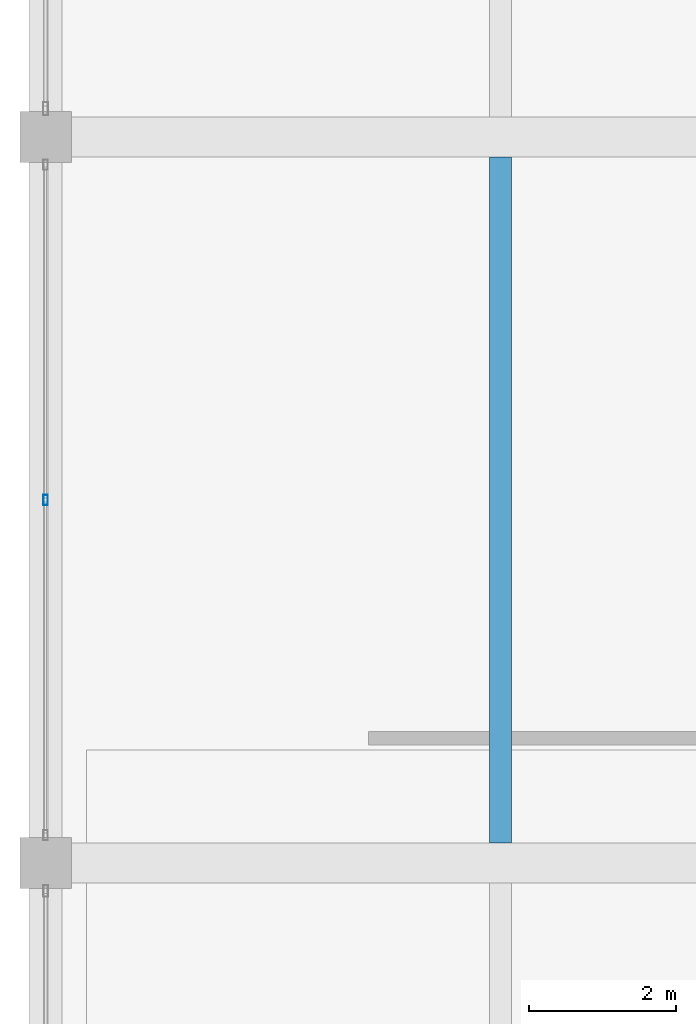
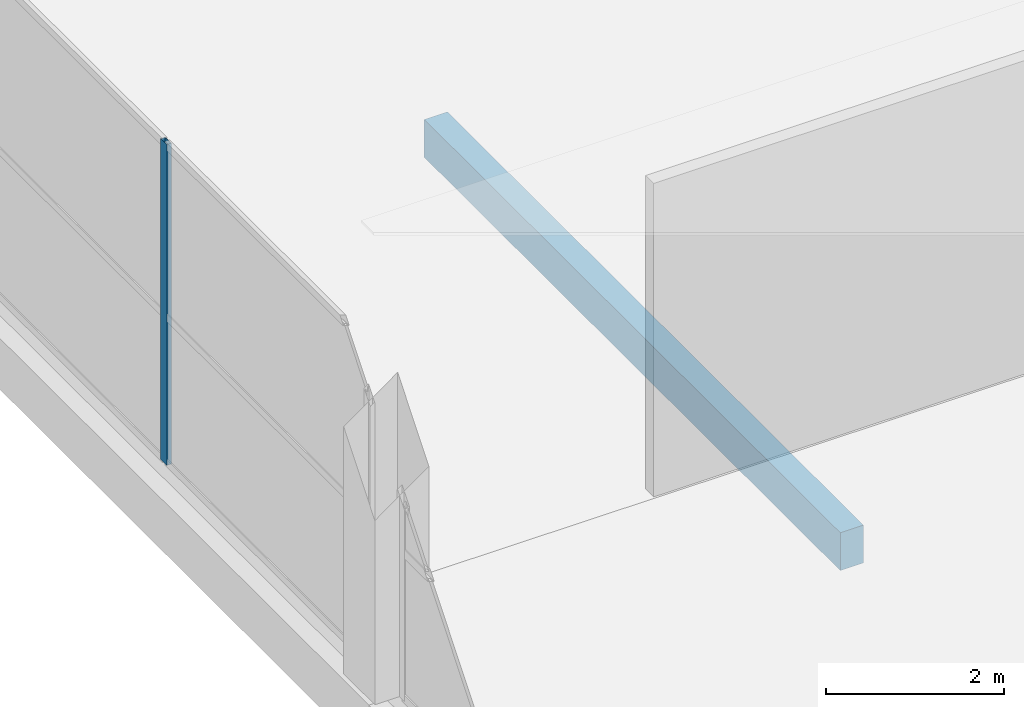
# One storey, part 20 of 74: 1 beam, 1 member, 1 element without a shape of its own.
"""IFC4 building model written with IfcOpenShell, lengths in metres."""

import ifcopenshell
import ifcopenshell.guid

model = None  # the IFC model being written
_history = None  # IfcOwnerHistory: only IFC2X3 demands one
_inside = {}  # id of a spatial element -> (the spatial element, [elements in it])
_under = {}  # id of a project, library or spatial element -> (it, [spatial elements below it])
_declared = {}  # id of a project -> (the project, [libraries it declares])
_typed = {}  # id of a type object -> (the type object, [elements of that type])
_made_of = {}  # id of a material, layer set ... -> (it, [elements and type objects made of it])


def new_model(schema):
    """Start an empty IFC model of exactly this schema.

    Asked for "IFC4X3", IfcOpenShell would pick the latest addendum, in which some entities
    have other attributes; the version numbers below select the first issue.
    IFC2X3 requires an IfcOwnerHistory on every rooted entity: one is made here for all.
    """
    global model, _history
    if schema == "IFC4X3":
        model = ifcopenshell.file(schema_version=(4, 3, 0, 0))
    else:
        model = ifcopenshell.file(schema=schema)
    _inside.clear()
    _under.clear()
    _declared.clear()
    _typed.clear()
    _made_of.clear()
    _history = None
    if model.schema == "IFC2X3":
        org = make("IfcOrganization", Name="unknown")
        user = make(
            "IfcPersonAndOrganization",
            ThePerson=make("IfcPerson", FamilyName="unknown"),
            TheOrganization=org,
        )
        app = make(
            "IfcApplication",
            ApplicationDeveloper=org,
            Version="unknown",
            ApplicationFullName="unknown",
            ApplicationIdentifier="unknown",
        )
        _history = make(
            "IfcOwnerHistory",
            OwningUser=user,
            OwningApplication=app,
            ChangeAction="ADDED",
            CreationDate=0,
        )
    return model


def make(cls, **values):
    """One entity of the class cls with the attributes given. An attribute that is None is left unset."""
    return model.create_entity(
        cls, **{name: value for name, value in values.items() if value is not None}
    )


def rooted(cls, **values):
    """An entity with a GlobalId (a new one), such as an element, a storey or a relation."""
    return make(cls, GlobalId=ifcopenshell.guid.new(), OwnerHistory=_history, **values)


def si_unit(unit_type, name, prefix=None):
    """IfcSIUnit, for example si_unit("LENGTHUNIT", "METRE", prefix="MILLI")."""
    return make("IfcSIUnit", UnitType=unit_type, Prefix=prefix, Name=name)


def assignment(units):
    """IfcUnitAssignment: the units of a project."""
    return None if units is None else make("IfcUnitAssignment", Units=units)


def point(xyz):
    """IfcCartesianPoint."""
    return None if xyz is None else make("IfcCartesianPoint", Coordinates=xyz)


def direction(xyz):
    """IfcDirection."""
    return None if xyz is None else make("IfcDirection", DirectionRatios=xyz)


def frame(location, z_axis=None, x_axis=None):
    """IfcAxis2Placement3D, a coordinate frame: its origin and axes. An axis left out is left unset."""
    return make(
        "IfcAxis2Placement3D",
        Location=point(location),
        Axis=direction(z_axis),
        RefDirection=direction(x_axis),
    )


def frame_2d(location, x_axis=None):
    """IfcAxis2Placement2D, a coordinate frame in the plane: its origin and x axis."""
    return make(
        "IfcAxis2Placement2D", Location=point(location), RefDirection=direction(x_axis)
    )


def origin():
    """The frame at (0, 0, 0) with its axes left unset."""
    return frame((0.0, 0.0, 0.0))


def origin_2d():
    """The frame at (0, 0) in the plane with its x axis left unset."""
    return frame_2d((0.0, 0.0))


def place(relative_to, where):
    """IfcLocalPlacement: puts the frame where relative to a parent placement (None: the world)."""
    return make(
        "IfcLocalPlacement", PlacementRelTo=relative_to, RelativePlacement=where
    )


def context(
    kind, dimensions, precision=None, world=None, true_north=None, identifier=None
):
    """IfcGeometricRepresentationContext, for example the 3D "Model" context."""
    return make(
        "IfcGeometricRepresentationContext",
        ContextIdentifier=identifier,
        ContextType=kind,
        CoordinateSpaceDimension=dimensions,
        Precision=precision,
        WorldCoordinateSystem=world,
        TrueNorth=true_north,
    )


def subcontext(parent, identifier, kind, view, scale=None):
    """IfcGeometricRepresentationSubContext, for example "Body" below "Model"."""
    return make(
        "IfcGeometricRepresentationSubContext",
        ContextIdentifier=identifier,
        ContextType=kind,
        ParentContext=parent,
        TargetScale=scale,
        TargetView=view,
    )


def project(units=None, contexts=None):
    """IfcProject with its units and contexts."""
    return rooted(
        "IfcProject",
        Name="project",
        RepresentationContexts=contexts,
        UnitsInContext=assignment(units),
    )


def spatial(cls, under=None, at=None, **own):
    """A site, building, storey or space (cls), placed at a placement, below another one or the project."""
    s = rooted(cls, ObjectPlacement=at, **own)
    if under is not None:
        _under.setdefault(under.id(), (under, []))[1].append(s)
    return s


def profile(cls, at=None, kind="AREA", **sizes):
    """A parametric profile (cls). Its sizes go by their IFC names, for example OverallWidth=200.0."""
    return make(cls, ProfileType=kind, Position=at, **sizes)


def rectangle(**sizes):
    """IfcRectangleProfileDef."""
    return profile("IfcRectangleProfileDef", **sizes)


def hollow_rectangle(**sizes):
    """IfcRectangleHollowProfileDef."""
    return profile("IfcRectangleHollowProfileDef", **sizes)


def extrude(swept, where, along, depth):
    """IfcExtrudedAreaSolid: the profile swept, set in the frame where, extruded along a direction by depth."""
    return make(
        "IfcExtrudedAreaSolid",
        SweptArea=swept,
        Position=where,
        ExtrudedDirection=direction(along),
        Depth=depth,
    )


def shape(context_of_items, identifier, shape_type, items):
    """IfcShapeRepresentation: the items that make up one representation, for example the "Body"."""
    return make(
        "IfcShapeRepresentation",
        ContextOfItems=context_of_items,
        RepresentationIdentifier=identifier,
        RepresentationType=shape_type,
        Items=items,
    )


def material(Name=None, Category=None):
    """IfcMaterial."""
    return make("IfcMaterial", Name=Name, Category=Category)


def layer(
    of_material, thickness, ventilated=None, Name=None, Category=None, Priority=None
):
    """IfcMaterialLayer: one layer of a wall or slab, of a material (None: an air gap)."""
    return make(
        "IfcMaterialLayer",
        Material=of_material,
        LayerThickness=thickness,
        IsVentilated=ventilated,
        Name=Name,
        Category=Category,
        Priority=Priority,
    )


def layer_set(layers, Name=None):
    """IfcMaterialLayerSet."""
    return make("IfcMaterialLayerSet", MaterialLayers=layers, LayerSetName=Name)


def material_profile(
    of_material, cross_section, Name=None, Category=None, Priority=None
):
    """IfcMaterialProfile: a cross section and its material."""
    return make(
        "IfcMaterialProfile",
        Name=Name,
        Material=of_material,
        Profile=cross_section,
        Priority=Priority,
        Category=Category,
    )


def profile_set(profiles, Name=None, composite=None):
    """IfcMaterialProfileSet."""
    return make(
        "IfcMaterialProfileSet",
        Name=Name,
        MaterialProfiles=profiles,
        CompositeProfile=composite,
    )


def made_of(thing, what):
    """Note that an element or type object is made of a material, layer set ...; save() writes the relation."""
    if what is not None:
        _made_of.setdefault(what.id(), (what, []))[1].append(thing)
    return thing


def type_object(cls, material=None, **own):
    """A type object (cls), such as IfcWallType, which elements share."""
    return made_of(rooted(cls, **own), material)


def element(
    cls,
    number,
    at=None,
    inside=None,
    cuts=None,
    type_object=None,
    material=None,
    context=None,
    identifier="Body",
    shape_type=None,
    held_by="IfcProductDefinitionShape",
    body=None,
    shapes=None,
    **own,
):
    """One element of the class cls, such as IfcWall. Its Tag is "e" and its number.

    at: its placement. inside: the storey or other place that contains it. cuts: it is an
    opening in that element (IfcRelVoidsElement). A single representation is given by context,
    identifier, shape_type and body (its items); several are given by shapes. held_by: the class
    of the entity that holds the representations. save() writes the other relations.
    """
    e = rooted(cls, Tag="e%d" % number, ObjectPlacement=at, **own)
    if body is not None:
        shapes = [shape(context, identifier, shape_type, body)]
    if shapes is not None:
        e.Representation = make(held_by, Representations=shapes)
    if inside is not None:
        _inside.setdefault(inside.id(), (inside, []))[1].append(e)
    if cuts is not None:
        rooted(
            "IfcRelVoidsElement", RelatingBuildingElement=cuts, RelatedOpeningElement=e
        )
    if type_object is not None:
        _typed.setdefault(type_object.id(), (type_object, []))[1].append(e)
    return made_of(e, material)


def aggregate(whole, parts):
    """IfcRelAggregates: a whole, such as a stair, and the parts it consists of."""
    return rooted("IfcRelAggregates", RelatingObject=whole, RelatedObjects=parts)


def save(model, path):
    """Write the relations noted so far, then the file.

    IfcRelAggregates (storeys below a building ...), IfcRelContainedInSpatialStructure (elements
    in a storey), IfcRelDefinesByType, IfcRelAssociatesMaterial and IfcRelDeclares: one each for
    every whole, place, type object, material and project.
    """
    for whole, parts in _under.values():
        aggregate(whole, parts)
    for where, things in _inside.values():
        rooted(
            "IfcRelContainedInSpatialStructure",
            RelatedElements=things,
            RelatingStructure=where,
        )
    for kind, things in _typed.values():
        rooted("IfcRelDefinesByType", RelatedObjects=things, RelatingType=kind)
    for what, things in _made_of.values():
        rooted("IfcRelAssociatesMaterial", RelatedObjects=things, RelatingMaterial=what)
    for by, libraries in _declared.values():
        rooted("IfcRelDeclares", RelatingContext=by, RelatedDefinitions=libraries)
    model.write(path)


model = new_model("IFC4")

# Units and contexts
model_context = context("Model", 3, precision=1e-05, world=origin(), true_north=direction((0.0, 1.0)))
body_context = subcontext(model_context, "Body", "Model", "MODEL_VIEW")
ifc_project = project(units=[si_unit("LENGTHUNIT", "METRE"), si_unit("AREAUNIT", "SQUARE_METRE"), si_unit("VOLUMEUNIT", "CUBIC_METRE"), si_unit("PLANEANGLEUNIT", "RADIAN"), si_unit("MASSUNIT", "GRAM", prefix="KILO")], contexts=[model_context])

# Site, building, storey
site_placement = place(None, origin())
site = spatial("IfcSite", under=ifc_project, at=site_placement, CompositionType="ELEMENT")
building_placement = place(site_placement, origin())
building = spatial("IfcBuilding", under=site, at=building_placement, Name="Sillaruma Civic Art Gallery", CompositionType="ELEMENT")
storey_placement = place(building_placement, frame((0.0, 0.0, 5.43994140625)))
storey = spatial("IfcBuildingStorey", under=building, at=storey_placement, Name="L01", CompositionType="ELEMENT", Elevation=5.43994140625)

# Beam
ifc_material_1 = material(Name="Concrete H35 (35 MPa)", Category="concrete")
ifc_material_profile_1 = material_profile(ifc_material_1, rectangle(XDim=0.300048828125, YDim=0.52001953125, at=origin_2d()), Name="RCB300x520")
ifc_profile_set_1 = profile_set([ifc_material_profile_1], Name="Concrete H35 (35 MPa)")
beam_type = type_object("IfcBeamType", Name="BM-JOIST-RCB300x520", PredefinedType="JOIST", material=ifc_profile_set_1)
beam_placement = place(storey_placement, frame((6.199951171875, 89.375, -0.52001953125), z_axis=(0.0, 1.0, 0.0), x_axis=(-1.0, 0.0, 0.0)))
element("IfcBeam", 1, at=beam_placement, inside=storey, type_object=beam_type, Name="Floor Joist JR-01 (L00:AB:10-11)", PredefinedType="JOIST", context=body_context, shape_type="SweptSolid", body=[
    extrude(rectangle(XDim=0.300048828125, YDim=0.52001953125, at=origin_2d()), origin(), (0.0, 0.0, 1.0), 9.35009765625),
])

# Curtain wall, member
ifc_material_2 = material(Name="Thermally Broken Extruded Aluminium 6063-T6", Category="aluminium")
ifc_layer = layer(ifc_material_2, 0.139892578125, Name="Thermally Broken Extruded Aluminium 6063-T6")
ifc_layer_set = layer_set([ifc_layer], Name="Thermally Broken Extruded Aluminium 6063-T6")
curtain_wall_type = type_object("IfcCurtainWallType", Name="CW-UNI-08", PredefinedType="NOTDEFINED", material=ifc_layer_set)
curtain_wall_placement = place(storey_placement, origin())
curtain_wall = element("IfcCurtainWall", 2, at=curtain_wall_placement, inside=storey, type_object=curtain_wall_type, Name="Unitised Curtain Wall CW-08 (CW-L01-WSTR-2)", PredefinedType="NOTDEFINED")
ifc_material_profile_2 = material_profile(ifc_material_2, hollow_rectangle(XDim=0.06005859375, YDim=0.139892578125, WallThickness=0.00341796875, at=origin_2d()), Name="CWM60x140")
ifc_profile_set_2 = profile_set([ifc_material_profile_2], Name="Thermally Broken Extruded Aluminium 6063-T6")
member_type = type_object("IfcMemberType", Name="MEM-MUL-CWM60x140", PredefinedType="MULLION", material=ifc_profile_set_2)
member_placement = place(storey_placement, frame((0.0, 94.050048828125, 0.0), z_axis=(0.0, 0.0, 1.0), x_axis=(-1.0, 0.0, 0.0)))
member = element("IfcMember", 3, at=member_placement, type_object=member_type, Name="CW-08 mullion 2", PredefinedType="MULLION", context=body_context, shape_type="SweptSolid", body=[
    extrude(hollow_rectangle(XDim=0.06005859375, YDim=0.139892578125, WallThickness=0.00341796875, at=origin_2d()), origin(), (0.0, 0.0, 1.0), 4.400146484375),
])
aggregate(curtain_wall, [member])

save(model, "model.ifc")
